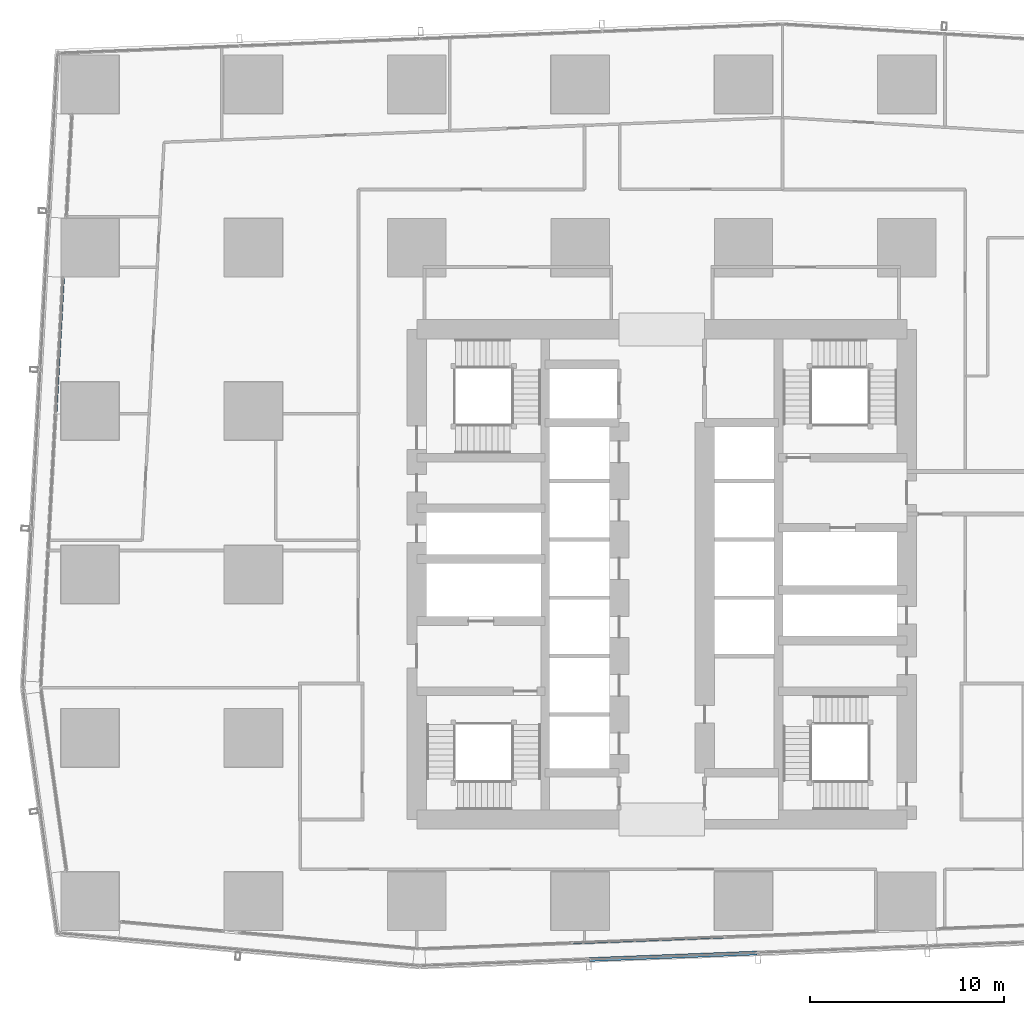
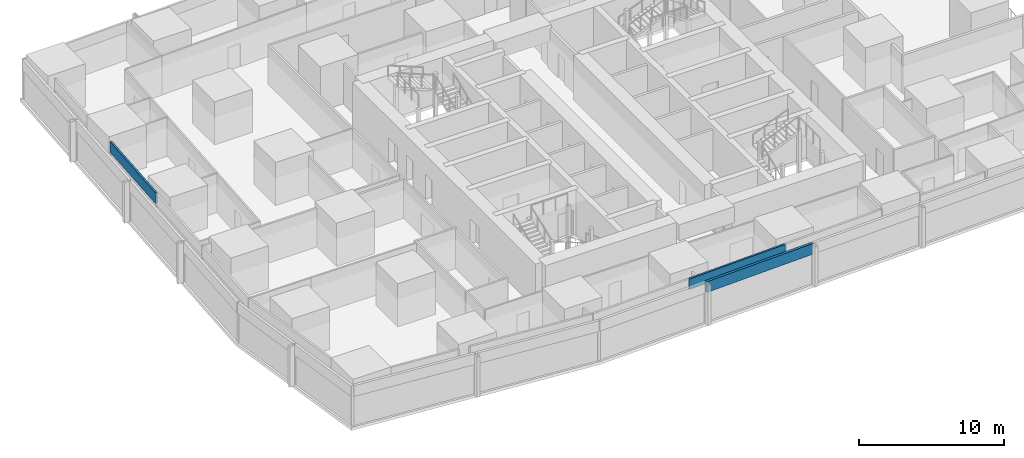
# One storey, part 8 of 38: 3 members, 3 elements without a shape of their own.
"""IFC4 building model written with IfcOpenShell, lengths in metres."""

from ifc_helpers import new_model, si_unit, direction, frame, origin, origin_2d, place, context, subcontext, project, spatial, hollow_rectangle, extrude, material, material_profile, profile_set, type_object, element, aggregate, save


model = new_model("IFC4")

# Units and contexts
model_context = context("Model", 3, precision=1e-05, world=origin(), true_north=direction((0.0, 1.0)))
body_context = subcontext(model_context, "Body", "Model", "MODEL_VIEW")
ifc_project = project(units=[si_unit("LENGTHUNIT", "METRE"), si_unit("AREAUNIT", "SQUARE_METRE"), si_unit("VOLUMEUNIT", "CUBIC_METRE"), si_unit("PLANEANGLEUNIT", "RADIAN"), si_unit("MASSUNIT", "GRAM", prefix="KILO")], contexts=[model_context])

# Site, building, storey
site_placement = place(None, origin())
site = spatial("IfcSite", under=ifc_project, at=site_placement, CompositionType="ELEMENT")
building_placement = place(site_placement, origin())
building = spatial("IfcBuilding", under=site, at=building_placement, Name="Rekha Terrace Tower", CompositionType="ELEMENT")
storey_placement = place(building_placement, frame((0.0, 0.0, 159.050048828125)))
storey = spatial("IfcBuildingStorey", under=building, at=storey_placement, Name="L40", CompositionType="ELEMENT", Elevation=159.050048828125)

# Curtain wall, member
ifc_material_1 = material(Name="Aluminium framing", Category="aluminium")
curtain_wall_type_1 = type_object("IfcCurtainWallType", Name="CW1 double skin inner glazing", PredefinedType="USERDEFINED", material=ifc_material_1)
curtain_wall_1_placement = place(storey_placement, origin())
curtain_wall_1 = element("IfcCurtainWall", 1, at=curtain_wall_1_placement, inside=storey, type_object=curtain_wall_type_1, Name="CW1 double skin inner glazing", ObjectType="DOUBLE SKIN INNER GLAZING", PredefinedType="USERDEFINED")
ifc_material_2 = material(Name="Insulated aluminium spandrel box", Category="aluminium")
ifc_material_profile_1 = material_profile(ifc_material_2, hollow_rectangle(XDim=0.14990234375, YDim=0.89990234375, WallThickness=0.0029296875, at=origin_2d()), Name="AL SPANDREL BOX 150x900")
ifc_profile_set_1 = profile_set([ifc_material_profile_1], Name="Insulated aluminium spandrel box")
member_type_1 = type_object("IfcMemberType", Name="CW1 spandrel transom 150 x 900", PredefinedType="USERDEFINED", material=ifc_profile_set_1)
member_1_placement = place(storey_placement, frame((33.224365234375, 14.66845703125, 2.949951171875), z_axis=(0.999243702564, 0.038884738465, 0.0), x_axis=(-0.038884738465, 0.999243702564, 0.0)))
member_1 = element("IfcMember", 2, at=member_1_placement, type_object=member_type_1, Name="CW1 spandrel transom 2", ObjectType="TRANSOM", PredefinedType="USERDEFINED", context=body_context, shape_type="SweptSolid", body=[
    extrude(hollow_rectangle(XDim=0.14990234375, YDim=0.89990234375, WallThickness=0.0029296875, at=origin_2d()), origin(), (0.0, 0.0, 1.0), 7.785400390625),
])
aggregate(curtain_wall_1, [member_1])

curtain_wall_2_placement = place(storey_placement, origin())
curtain_wall_2 = element("IfcCurtainWall", 3, at=curtain_wall_2_placement, inside=storey, type_object=curtain_wall_type_1, Name="CW1 double skin inner glazing", ObjectType="DOUBLE SKIN INNER GLAZING", PredefinedType="USERDEFINED")
member_2_placement = place(storey_placement, frame((7.01513671875, 48.809814453125, 2.949951171875), z_axis=(-0.054719179439, -0.998501783374, 0.0), x_axis=(0.998501783374, -0.054719179439, 0.0)))
member_2 = element("IfcMember", 4, at=member_2_placement, type_object=member_type_1, Name="CW1 spandrel transom 1", ObjectType="TRANSOM", PredefinedType="USERDEFINED", context=body_context, shape_type="SweptSolid", body=[
    extrude(hollow_rectangle(XDim=0.14990234375, YDim=0.89990234375, WallThickness=0.0029296875, at=origin_2d()), origin(), (0.0, 0.0, 1.0), 6.93359375),
])
aggregate(curtain_wall_2, [member_2])

curtain_wall_type_2 = type_object("IfcCurtainWallType", Name="CW2 double skin outer glazing", PredefinedType="USERDEFINED", material=ifc_material_1)
curtain_wall_3_placement = place(storey_placement, origin())
curtain_wall_3 = element("IfcCurtainWall", 5, at=curtain_wall_3_placement, inside=storey, type_object=curtain_wall_type_2, Name="CW2 double skin outer glazing", ObjectType="DOUBLE SKIN OUTER GLAZING", PredefinedType="USERDEFINED")
ifc_material_profile_2 = material_profile(ifc_material_2, hollow_rectangle(XDim=0.199951171875, YDim=0.89990234375, WallThickness=0.0029296875, at=origin_2d()), Name="AL SPANDREL BOX 200x900")
ifc_profile_set_2 = profile_set([ifc_material_profile_2], Name="Insulated aluminium spandrel box")
member_type_2 = type_object("IfcMemberType", Name="CW2 spandrel transom 200 x 900", PredefinedType="USERDEFINED", material=ifc_profile_set_2)
member_3_placement = place(storey_placement, frame((34.069091796875, 13.800537109375, 2.949951171875), z_axis=(0.999243438523, 0.038891523097, 0.0), x_axis=(-0.038891523097, 0.999243438523, 0.0)))
member_3 = element("IfcMember", 6, at=member_3_placement, type_object=member_type_2, Name="CW2 spandrel transom 2", ObjectType="TRANSOM", PredefinedType="USERDEFINED", context=body_context, shape_type="SweptSolid", body=[
    extrude(hollow_rectangle(XDim=0.199951171875, YDim=0.89990234375, WallThickness=0.0029296875, at=origin_2d()), origin(), (0.0, 0.0, 1.0), 8.631591796875),
])
aggregate(curtain_wall_3, [member_3])

save(model, "model.ifc")
